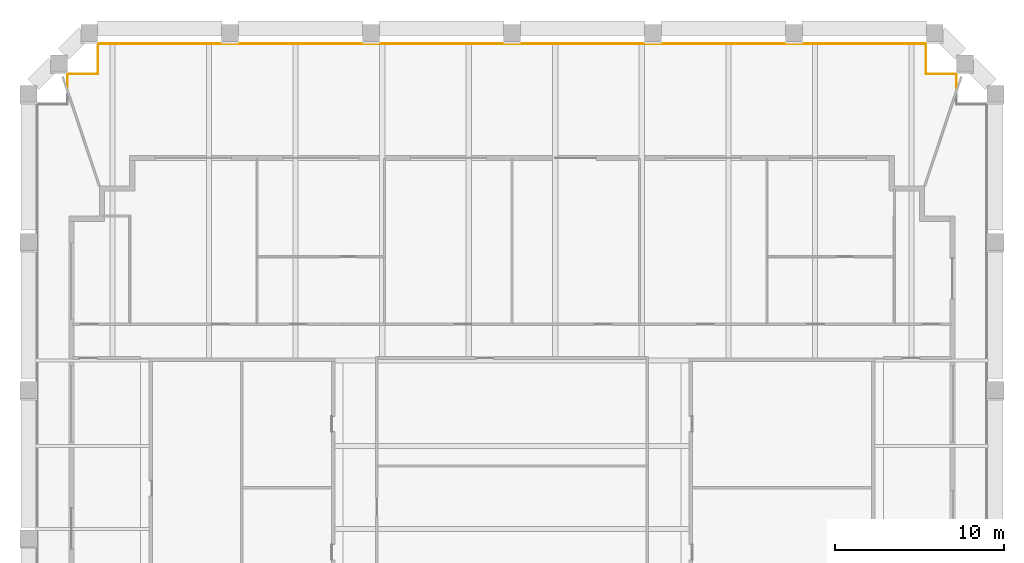
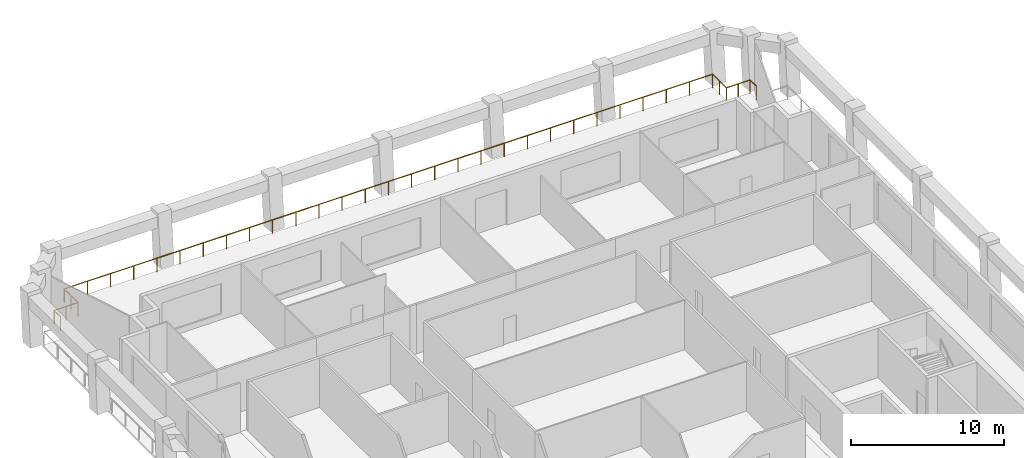
# One storey, part 9 of 9: 1 railing.
"""IFC4 building model written with IfcOpenShell, lengths in metres."""

from ifc_helpers import new_model, si_unit, direction, frame, origin, origin_2d, place, context, subcontext, project, spatial, circle, extrude, material, type_object, element, save


model = new_model("IFC4")

# Units and contexts
model_context = context("Model", 3, precision=1e-05, world=origin(), true_north=direction((0.0, 1.0)))
body_context = subcontext(model_context, "Body", "Model", "MODEL_VIEW")
ifc_project = project(units=[si_unit("LENGTHUNIT", "METRE"), si_unit("AREAUNIT", "SQUARE_METRE"), si_unit("VOLUMEUNIT", "CUBIC_METRE"), si_unit("PLANEANGLEUNIT", "RADIAN"), si_unit("MASSUNIT", "GRAM", prefix="KILO")], contexts=[model_context])

# Site, building, storey
site_placement = place(None, origin())
site = spatial("IfcSite", under=ifc_project, at=site_placement, CompositionType="ELEMENT")
building_placement = place(site_placement, origin())
building = spatial("IfcBuilding", under=site, at=building_placement, Name="Ogive Exchange Tower", CompositionType="ELEMENT")
storey_placement = place(building_placement, frame((0.0, 0.0, 355.199951171875)))
storey = spatial("IfcBuildingStorey", under=building, at=storey_placement, Name="L78", CompositionType="ELEMENT", Elevation=355.199951171875)

# Railing
ifc_material = material(Name="Stainless steel 316", Category="steel")
railing_type = type_object("IfcRailingType", Name="Guard 1100 stainless steel and glass", PredefinedType="GUARDRAIL", material=ifc_material)
railing_placement = place(storey_placement, frame((-26.330078125, 57.00146484375, -0.050048828125)))
element("IfcRailing", 1, at=railing_placement, inside=storey, type_object=railing_type, Name="Loggia guard 3", PredefinedType="GUARDRAIL", context=body_context, shape_type="SweptSolid", body=[
    extrude(circle(Radius=0.02392578125, at=origin_2d()), frame((0.0, 0.0, 1.076171875), z_axis=(0.0, 1.0, 0.0), x_axis=(-1.0, 0.0, 0.0)), (0.0, 0.0, 1.0), 0.823974609375),
    extrude(circle(Radius=0.02392578125, at=origin_2d()), frame((0.0, 0.823974609375, 1.076171875), z_axis=(1.0, 0.0, 0.0), x_axis=(0.0, 1.0, 0.0)), (0.0, 0.0, 1.0), 1.800048828125),
    extrude(circle(Radius=0.02392578125, at=origin_2d()), frame((1.800048828125, 0.823974609375, 1.076171875), z_axis=(0.0, 1.0, 0.0), x_axis=(-1.0, 0.0, 0.0)), (0.0, 0.0, 1.0), 1.800048828125),
    extrude(circle(Radius=0.02392578125, at=origin_2d()), frame((1.800048828125, 2.6240234375, 1.076171875), z_axis=(1.0, 0.0, 0.0), x_axis=(0.0, 1.0, 0.0)), (0.0, 0.0, 1.0), 49.06005859375),
    extrude(circle(Radius=0.02392578125, at=origin_2d()), frame((50.860107421875, 2.6240234375, 1.076171875), z_axis=(0.0, -1.0, 0.0), x_axis=(1.0, 0.0, 0.0)), (0.0, 0.0, 1.0), 1.800048828125),
    extrude(circle(Radius=0.02392578125, at=origin_2d()), frame((50.860107421875, 0.823974609375, 1.076171875), z_axis=(1.0, 0.0, 0.0), x_axis=(0.0, 1.0, 0.0)), (0.0, 0.0, 1.0), 1.800048828125),
    extrude(circle(Radius=0.02392578125, at=origin_2d()), frame((52.66015625, 0.823974609375, 1.076171875), z_axis=(0.0, -1.0, 0.0), x_axis=(1.0, 0.0, 0.0)), (0.0, 0.0, 1.0), 0.823974609375),
    extrude(circle(Radius=0.02099609375, at=origin_2d()), origin(), (0.0, 0.0, 1.0), 1.052001953125),
    extrude(circle(Radius=0.02099609375, at=origin_2d()), frame((0.0, 0.823974609375, 0.0)), (0.0, 0.0, 1.0), 1.052001953125),
    extrude(circle(Radius=0.02099609375, at=origin_2d()), frame((0.89990234375, 0.823974609375, 0.0)), (0.0, 0.0, 1.0), 1.052001953125),
    extrude(circle(Radius=0.02099609375, at=origin_2d()), frame((1.800048828125, 0.823974609375, 0.0)), (0.0, 0.0, 1.0), 1.052001953125),
    extrude(circle(Radius=0.02099609375, at=origin_2d()), frame((1.800048828125, 1.72412109375, 0.0)), (0.0, 0.0, 1.0), 1.052001953125),
    extrude(circle(Radius=0.02099609375, at=origin_2d()), frame((1.800048828125, 2.6240234375, 0.0)), (0.0, 0.0, 1.0), 1.052001953125),
    extrude(circle(Radius=0.02099609375, at=origin_2d()), frame((3.55224609375, 2.6240234375, 0.0)), (0.0, 0.0, 1.0), 1.052001953125),
    extrude(circle(Radius=0.02099609375, at=origin_2d()), frame((5.304443359375, 2.6240234375, 0.0)), (0.0, 0.0, 1.0), 1.052001953125),
    extrude(circle(Radius=0.02099609375, at=origin_2d()), frame((7.056396484375, 2.6240234375, 0.0)), (0.0, 0.0, 1.0), 1.052001953125),
    extrude(circle(Radius=0.02099609375, at=origin_2d()), frame((8.80859375, 2.6240234375, 0.0)), (0.0, 0.0, 1.0), 1.052001953125),
    extrude(circle(Radius=0.02099609375, at=origin_2d()), frame((10.560791015625, 2.6240234375, 0.0)), (0.0, 0.0, 1.0), 1.052001953125),
    extrude(circle(Radius=0.02099609375, at=origin_2d()), frame((12.31298828125, 2.6240234375, 0.0)), (0.0, 0.0, 1.0), 1.052001953125),
    extrude(circle(Radius=0.02099609375, at=origin_2d()), frame((14.06494140625, 2.6240234375, 0.0)), (0.0, 0.0, 1.0), 1.052001953125),
    extrude(circle(Radius=0.02099609375, at=origin_2d()), frame((15.817138671875, 2.6240234375, 0.0)), (0.0, 0.0, 1.0), 1.052001953125),
    extrude(circle(Radius=0.02099609375, at=origin_2d()), frame((17.5693359375, 2.6240234375, 0.0)), (0.0, 0.0, 1.0), 1.052001953125),
    extrude(circle(Radius=0.02099609375, at=origin_2d()), frame((19.321533203125, 2.6240234375, 0.0)), (0.0, 0.0, 1.0), 1.052001953125),
    extrude(circle(Radius=0.02099609375, at=origin_2d()), frame((21.07373046875, 2.6240234375, 0.0)), (0.0, 0.0, 1.0), 1.052001953125),
    extrude(circle(Radius=0.02099609375, at=origin_2d()), frame((22.82568359375, 2.6240234375, 0.0)), (0.0, 0.0, 1.0), 1.052001953125),
    extrude(circle(Radius=0.02099609375, at=origin_2d()), frame((24.577880859375, 2.6240234375, 0.0)), (0.0, 0.0, 1.0), 1.052001953125),
    extrude(circle(Radius=0.02099609375, at=origin_2d()), frame((26.330078125, 2.6240234375, 0.0)), (0.0, 0.0, 1.0), 1.052001953125),
    extrude(circle(Radius=0.02099609375, at=origin_2d()), frame((28.082275390625, 2.6240234375, 0.0)), (0.0, 0.0, 1.0), 1.052001953125),
    extrude(circle(Radius=0.02099609375, at=origin_2d()), frame((29.83447265625, 2.6240234375, 0.0)), (0.0, 0.0, 1.0), 1.052001953125),
    extrude(circle(Radius=0.02099609375, at=origin_2d()), frame((31.58642578125, 2.6240234375, 0.0)), (0.0, 0.0, 1.0), 1.052001953125),
    extrude(circle(Radius=0.02099609375, at=origin_2d()), frame((33.338623046875, 2.6240234375, 0.0)), (0.0, 0.0, 1.0), 1.052001953125),
    extrude(circle(Radius=0.02099609375, at=origin_2d()), frame((35.0908203125, 2.6240234375, 0.0)), (0.0, 0.0, 1.0), 1.052001953125),
    extrude(circle(Radius=0.02099609375, at=origin_2d()), frame((36.843017578125, 2.6240234375, 0.0)), (0.0, 0.0, 1.0), 1.052001953125),
    extrude(circle(Radius=0.02099609375, at=origin_2d()), frame((38.59521484375, 2.6240234375, 0.0)), (0.0, 0.0, 1.0), 1.052001953125),
    extrude(circle(Radius=0.02099609375, at=origin_2d()), frame((40.34716796875, 2.6240234375, 0.0)), (0.0, 0.0, 1.0), 1.052001953125),
    extrude(circle(Radius=0.02099609375, at=origin_2d()), frame((42.099365234375, 2.6240234375, 0.0)), (0.0, 0.0, 1.0), 1.052001953125),
    extrude(circle(Radius=0.02099609375, at=origin_2d()), frame((43.8515625, 2.6240234375, 0.0)), (0.0, 0.0, 1.0), 1.052001953125),
    extrude(circle(Radius=0.02099609375, at=origin_2d()), frame((45.603759765625, 2.6240234375, 0.0)), (0.0, 0.0, 1.0), 1.052001953125),
    extrude(circle(Radius=0.02099609375, at=origin_2d()), frame((47.355712890625, 2.6240234375, 0.0)), (0.0, 0.0, 1.0), 1.052001953125),
    extrude(circle(Radius=0.02099609375, at=origin_2d()), frame((49.10791015625, 2.6240234375, 0.0)), (0.0, 0.0, 1.0), 1.052001953125),
    extrude(circle(Radius=0.02099609375, at=origin_2d()), frame((50.860107421875, 2.6240234375, 0.0)), (0.0, 0.0, 1.0), 1.052001953125),
    extrude(circle(Radius=0.02099609375, at=origin_2d()), frame((50.860107421875, 1.72412109375, 0.0)), (0.0, 0.0, 1.0), 1.052001953125),
    extrude(circle(Radius=0.02099609375, at=origin_2d()), frame((50.860107421875, 0.823974609375, 0.0)), (0.0, 0.0, 1.0), 1.052001953125),
    extrude(circle(Radius=0.02099609375, at=origin_2d()), frame((51.76025390625, 0.823974609375, 0.0)), (0.0, 0.0, 1.0), 1.052001953125),
    extrude(circle(Radius=0.02099609375, at=origin_2d()), frame((52.66015625, 0.823974609375, 0.0)), (0.0, 0.0, 1.0), 1.052001953125),
    extrude(circle(Radius=0.02099609375, at=origin_2d()), frame((52.66015625, 0.0, 0.0)), (0.0, 0.0, 1.0), 1.052001953125),
])

save(model, "model.ifc")
